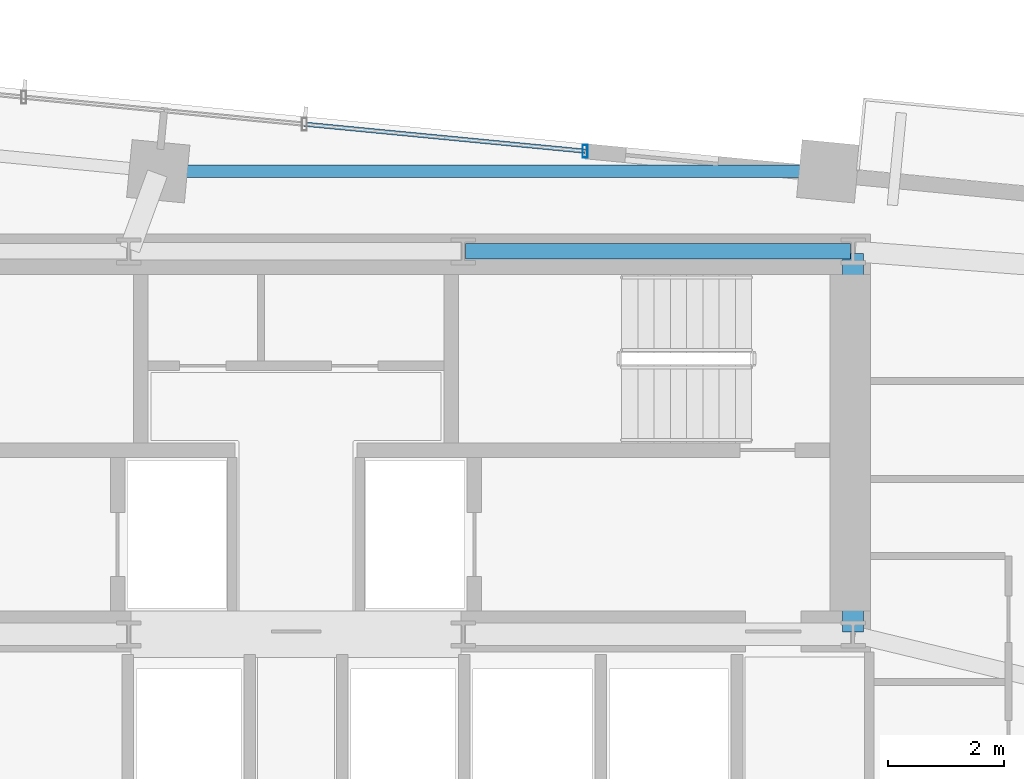
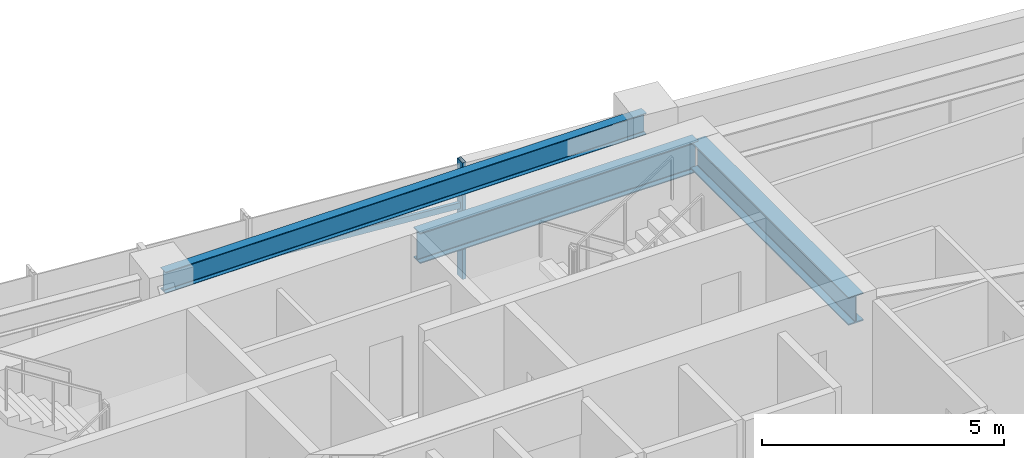
# One storey, part 12 of 20: 3 beams, 2 members, 1 element without a shape of its own.
"""IFC4 building model written with IfcOpenShell, lengths in metres."""

from ifc_helpers import new_model, si_unit, direction, frame, origin, origin_2d, place, context, subcontext, project, spatial, hollow_rectangle, i_section, extrude, source, transform, mapped, material, material_profile, profile_set, type_object, type_shapes, element, aggregate, save


model = new_model("IFC4")

# Units and contexts
model_context = context("Model", 3, precision=1e-05, world=origin(), true_north=direction((0.0, 1.0)))
body_context = subcontext(model_context, "Body", "Model", "MODEL_VIEW")
ifc_project = project(units=[si_unit("LENGTHUNIT", "METRE"), si_unit("AREAUNIT", "SQUARE_METRE"), si_unit("VOLUMEUNIT", "CUBIC_METRE"), si_unit("PLANEANGLEUNIT", "RADIAN"), si_unit("MASSUNIT", "GRAM", prefix="KILO")], contexts=[model_context])

# Site, building, storey
site_placement = place(None, origin())
site = spatial("IfcSite", under=ifc_project, at=site_placement, CompositionType="ELEMENT")
building_placement = place(site_placement, origin())
building = spatial("IfcBuilding", under=site, at=building_placement, Name="Astriad Promenade Condominiums", CompositionType="ELEMENT")
storey_placement = place(building_placement, frame((0.0, 0.0, 127.800048828125)))
storey = spatial("IfcBuildingStorey", under=building, at=storey_placement, Name="L36", CompositionType="ELEMENT", Elevation=127.800048828125)

# Beams
ifc_material_1 = material(Name="Steel ASTM A992 Grade 50", Category="steel")
ifc_material_profile_1 = material_profile(ifc_material_1, i_section(OverallWidth=0.267822265625, OverallDepth=0.76953125, WebThickness=0.015625, FlangeThickness=0.025390625, FilletRadius=0.021484375, at=origin_2d()), Name="W30X132")
ifc_profile_set_1 = profile_set([ifc_material_profile_1], Name="Steel ASTM A992 Grade 50")
beam_type_1 = type_object("IfcBeamType", Name="STEEL FLOOR GIRDER W30X132", PredefinedType="BEAM", material=ifc_profile_set_1)
shared_shape_1 = source(origin(), body_context, "Body", "SweptSolid", [
    extrude(i_section(OverallWidth=0.267822265625, OverallDepth=0.76953125, WebThickness=0.015625, FlangeThickness=0.025390625, FilletRadius=0.021484375, at=origin_2d()), origin(), (0.0, 0.0, 1.0), 6.64013671875),
])
type_shapes(beam_type_1, [shared_shape_1])
beam_1_placement = place(storey_placement, frame((38.919921875, 24.0, 2.55517578125), z_axis=(1.0, 0.0, 0.0), x_axis=(0.0, 1.0, 0.0)))
element("IfcBeam", 1, at=beam_1_placement, inside=storey, type_object=beam_type_1, Name="Core Ring Beam CG-N3-L36", PredefinedType="BEAM", context=body_context, shape_type="MappedRepresentation", body=[
    mapped(shared_shape_1, transform((0.0, 0.0, 0.0), scale=1.0)),
])
ifc_material_profile_2 = material_profile(ifc_material_1, i_section(OverallWidth=0.35791015625, OverallDepth=0.706298828125, WebThickness=0.018310546875, FlangeThickness=0.0302734375, FilletRadius=0.020263671875, at=origin_2d()), Name="W27X178")
ifc_profile_set_2 = profile_set([ifc_material_profile_2], Name="Steel ASTM A992 Grade 50")
beam_type_2 = type_object("IfcBeamType", Name="STEEL FLOOR GIRDER W27X178", PredefinedType="BEAM", material=ifc_profile_set_2)
shared_shape_2 = source(origin(), body_context, "Body", "SweptSolid", [
    extrude(i_section(OverallWidth=0.35791015625, OverallDepth=0.706298828125, WebThickness=0.018310546875, FlangeThickness=0.0302734375, FilletRadius=0.020263671875, at=origin_2d()), origin(), (0.0, 0.0, 1.0), 6.52001953125),
])
type_shapes(beam_type_2, [shared_shape_2])
beam_2_placement = place(storey_placement, frame((45.60009765625, 17.43994140625, 2.586669921875), z_axis=(0.0, 1.0, 0.0), x_axis=(-1.0, 0.0, 0.0)))
element("IfcBeam", 2, at=beam_2_placement, inside=storey, type_object=beam_type_2, Name="Core Ring Beam CG-E1-L36", PredefinedType="BEAM", context=body_context, shape_type="MappedRepresentation", body=[
    mapped(shared_shape_2, transform((0.0, 0.0, 0.0), scale=1.0)),
])
ifc_material_profile_3 = material_profile(ifc_material_1, i_section(OverallWidth=0.210693359375, OverallDepth=0.53955078125, WebThickness=0.01171875, FlangeThickness=0.018798828125, FilletRadius=0.0166015625, at=origin_2d()), Name="W21X73")
ifc_profile_set_3 = profile_set([ifc_material_profile_3], Name="Steel ASTM A992 Grade 50")
beam_type_3 = type_object("IfcBeamType", Name="STEEL SPANDREL BEAM W21X73", PredefinedType="SPANDREL", material=ifc_profile_set_3)
shared_shape_3 = source(origin(), body_context, "Body", "SweptSolid", [
    extrude(i_section(OverallWidth=0.210693359375, OverallDepth=0.53955078125, WebThickness=0.01171875, FlangeThickness=0.018798828125, FilletRadius=0.0166015625, at=origin_2d()), origin(), (0.0, 0.0, 1.0), 11.466552734375),
])
type_shapes(beam_type_3, [shared_shape_3])
beam_3_placement = place(storey_placement, frame((45.1328125, 25.3798828125, 2.670166015625), z_axis=(-0.999999999093, 4.258309e-05, 0.0), x_axis=(-4.258309e-05, -0.999999999093, 0.0)))
element("IfcBeam", 3, at=beam_3_placement, inside=storey, type_object=beam_type_3, Name="Perimeter Spandrel Beam SP-N3-L36", PredefinedType="SPANDREL", context=body_context, shape_type="MappedRepresentation", body=[
    mapped(shared_shape_3, transform((0.0, 0.0, 0.0), scale=1.0)),
])

# Curtain wall, members
ifc_material_2 = material(Name="Anodised aluminium Black Dark Glass Unitised", Category="aluminium")
curtain_wall_type = type_object("IfcCurtainWallType", Name="CW-B34-DARK", PredefinedType="USERDEFINED", material=ifc_material_2)
curtain_wall_placement = place(storey_placement, origin())
curtain_wall = element("IfcCurtainWall", 4, at=curtain_wall_placement, inside=storey, type_object=curtain_wall_type, Name="CW-L36-N", ObjectType="UNITISED_CURTAIN_WALL", PredefinedType="USERDEFINED")
ifc_material_3 = material(Name="Anodised aluminium 6063-T6 Black", Category="aluminium")
ifc_material_profile_4 = material_profile(ifc_material_3, hollow_rectangle(XDim=0.0849609375, YDim=0.219970703125, WallThickness=0.0048828125, at=origin_2d()), Name="ALU-MUL-85X220")
ifc_profile_set_4 = profile_set([ifc_material_profile_4], Name="Anodised aluminium 6063-T6 Black")
member_type_1 = type_object("IfcMemberType", Name="MUL-ALU-MUL-85X220", PredefinedType="MULLION", material=ifc_profile_set_4)
shared_shape_4 = source(origin(), body_context, "Body", "SweptSolid", [
    extrude(hollow_rectangle(XDim=0.0849609375, YDim=0.219970703125, WallThickness=0.0048828125, at=origin_2d()), origin(), (0.0, 0.0, 1.0), 2.93994140625),
])
type_shapes(member_type_1, [shared_shape_4])
member_1_placement = place(storey_placement, frame((40.9833984375, 25.726806640625, 0.0), z_axis=(0.0, 0.0, 1.0), x_axis=(1.0, 0.0, 0.0)))
member_1 = element("IfcMember", 5, at=member_1_placement, type_object=member_type_1, Name="CW-L36-N-MUL-03", PredefinedType="MULLION", context=body_context, shape_type="MappedRepresentation", body=[
    mapped(shared_shape_4, transform((0.0, 0.0, 0.0), scale=1.0)),
])
ifc_material_profile_5 = material_profile(ifc_material_3, hollow_rectangle(XDim=0.074951171875, YDim=0.14990234375, WallThickness=0.004150390625, at=origin_2d()), Name="ALU-TRN-75X150")
ifc_profile_set_5 = profile_set([ifc_material_profile_5], Name="Anodised aluminium 6063-T6 Black")
member_type_2 = type_object("IfcMemberType", Name="TRN-ALU-TRN-75X150", PredefinedType="USERDEFINED", material=ifc_profile_set_5)
shared_shape_5 = source(origin(), body_context, "Body", "SweptSolid", [
    extrude(hollow_rectangle(XDim=0.074951171875, YDim=0.14990234375, WallThickness=0.004150390625, at=origin_2d()), origin(), (0.0, 0.0, 1.0), 4.860107421875),
])
type_shapes(member_type_2, [shared_shape_5])
member_2_placement = place(storey_placement, frame((36.145751953125, 26.1923828125, 1.82275390625), z_axis=(0.995400834012, -0.095797597298, 0.0), x_axis=(0.095797597298, 0.995400834012, 0.0)))
member_2 = element("IfcMember", 6, at=member_2_placement, type_object=member_type_2, Name="CW-L36-N-TRN-02-0", ObjectType="TRANSOM", PredefinedType="USERDEFINED", context=body_context, shape_type="MappedRepresentation", body=[
    mapped(shared_shape_5, transform((0.0, 0.0, 0.0), scale=1.0)),
])
aggregate(curtain_wall, [member_1, member_2])

save(model, "model.ifc")
